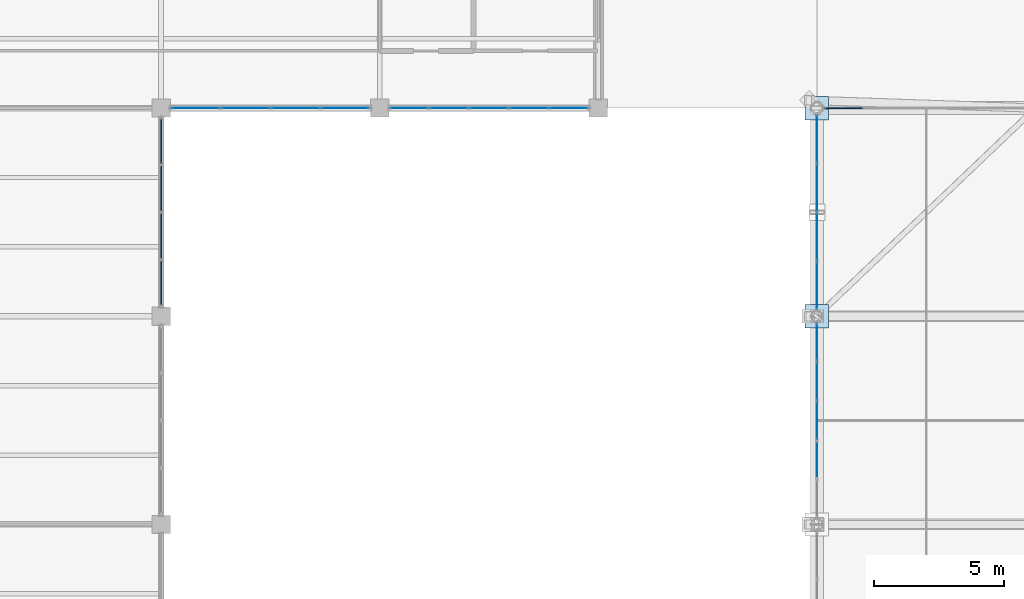
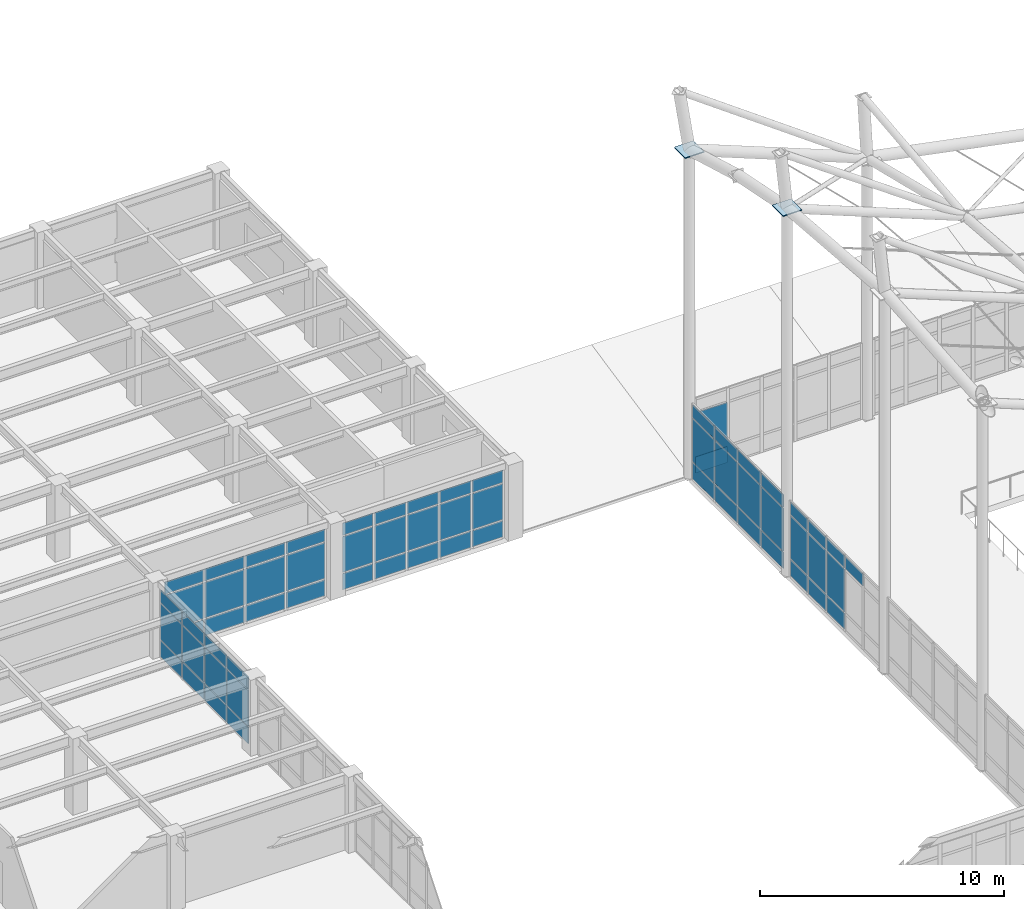
# One storey, part 61 of 138: 65 plates, 6 elements without a shape of their own.
"""IFC4 building model written with IfcOpenShell, lengths in metres."""

from ifc_helpers import new_model, si_unit, direction, frame, origin, origin_2d, place, context, subcontext, project, spatial, rectangle, extrude, material, layer, layer_set, type_object, element, aggregate, save


model = new_model("IFC4")

# Units and contexts
model_context = context("Model", 3, precision=1e-05, world=origin(), true_north=direction((0.0, 1.0)))
body_context = subcontext(model_context, "Body", "Model", "MODEL_VIEW")
ifc_project = project(units=[si_unit("LENGTHUNIT", "METRE"), si_unit("AREAUNIT", "SQUARE_METRE"), si_unit("VOLUMEUNIT", "CUBIC_METRE"), si_unit("PLANEANGLEUNIT", "RADIAN"), si_unit("MASSUNIT", "GRAM", prefix="KILO")], contexts=[model_context])

# Site, building, storey
site_placement = place(None, origin())
site = spatial("IfcSite", under=ifc_project, at=site_placement, CompositionType="ELEMENT")
building_placement = place(site_placement, origin())
building = spatial("IfcBuilding", under=site, at=building_placement, Name="Kranzveld Transit Interchange", CompositionType="ELEMENT")
storey_placement = place(building_placement, frame((0.0, 0.0, 5.43994140625)))
storey = spatial("IfcBuildingStorey", under=building, at=storey_placement, Name="L01", CompositionType="ELEMENT", Elevation=5.43994140625)

# Curtain wall, plates
ifc_material_1 = material(Name="Bronze-anodised thermally broken aluminium", Category="aluminium")
ifc_layer_1 = layer(ifc_material_1, 0.159912109375)
ifc_layer_set_1 = layer_set([ifc_layer_1], Name="Bronze-anodised thermally broken aluminium")
curtain_wall_type_1 = type_object("IfcCurtainWallType", Name="Bus Boarding Glazed Screen CW-3", PredefinedType="USERDEFINED", material=ifc_layer_set_1)
curtain_wall_1_placement = place(storey_placement, origin())
curtain_wall_1 = element("IfcCurtainWall", 1, at=curtain_wall_1_placement, inside=storey, type_object=curtain_wall_type_1, Name="L01 Curtain Wall 08/L-08/M", ObjectType="CURTAIN WALL", PredefinedType="USERDEFINED")
ifc_material_2 = material(Name="Solar-control double glazing", Category="glass")
ifc_layer_2 = layer(ifc_material_2, 0.031982421875)
ifc_layer_set_2 = layer_set([ifc_layer_2], Name="Solar-control double glazing")
plate_type_1 = type_object("IfcPlateType", Name="Curtain Panel Acoustic Glazing 32", PredefinedType="CURTAIN_PANEL", material=ifc_layer_set_2)
plate_1_placement = place(storey_placement, frame((58.800048828125, 81.186279296875, 0.06005859375), z_axis=(0.0, 0.0, 1.0), x_axis=(0.0, 1.0, 0.0)))
plate_1 = element("IfcPlate", 2, at=plate_1_placement, type_object=plate_type_1, Name="CW-3 panel 1.1", PredefinedType="CURTAIN_PANEL", context=body_context, shape_type="SweptSolid", body=[
    extrude(rectangle(XDim=1.795654296875, YDim=0.031982421875, at=origin_2d()), origin(), (0.0, 0.0, 1.0), 0.81005859375),
])
plate_2_placement = place(storey_placement, frame((58.800048828125, 81.186279296875, 0.93017578125), z_axis=(0.0, 0.0, 1.0), x_axis=(0.0, 1.0, 0.0)))
plate_2 = element("IfcPlate", 3, at=plate_2_placement, type_object=plate_type_1, Name="CW-3 panel 1.2", PredefinedType="CURTAIN_PANEL", context=body_context, shape_type="SweptSolid", body=[
    extrude(rectangle(XDim=1.795654296875, YDim=0.031982421875, at=origin_2d()), origin(), (0.0, 0.0, 1.0), 2.139892578125),
])
plate_3_placement = place(storey_placement, frame((58.800048828125, 81.186279296875, 3.1298828125), z_axis=(0.0, 0.0, 1.0), x_axis=(0.0, 1.0, 0.0)))
plate_3 = element("IfcPlate", 4, at=plate_3_placement, type_object=plate_type_1, Name="CW-3 panel 1.3", PredefinedType="CURTAIN_PANEL", context=body_context, shape_type="SweptSolid", body=[
    extrude(rectangle(XDim=1.795654296875, YDim=0.031982421875, at=origin_2d()), origin(), (0.0, 0.0, 1.0), 0.610107421875),
])
plate_4_placement = place(storey_placement, frame((58.800048828125, 83.05712890625, 0.06005859375), z_axis=(0.0, 0.0, 1.0), x_axis=(0.0, 1.0, 0.0)))
plate_4 = element("IfcPlate", 5, at=plate_4_placement, type_object=plate_type_1, Name="CW-3 panel 2.1", PredefinedType="CURTAIN_PANEL", context=body_context, shape_type="SweptSolid", body=[
    extrude(rectangle(XDim=1.82568359375, YDim=0.031982421875, at=origin_2d()), origin(), (0.0, 0.0, 1.0), 0.81005859375),
])
plate_5_placement = place(storey_placement, frame((58.800048828125, 83.05712890625, 0.93017578125), z_axis=(0.0, 0.0, 1.0), x_axis=(0.0, 1.0, 0.0)))
plate_5 = element("IfcPlate", 6, at=plate_5_placement, type_object=plate_type_1, Name="CW-3 panel 2.2", PredefinedType="CURTAIN_PANEL", context=body_context, shape_type="SweptSolid", body=[
    extrude(rectangle(XDim=1.82568359375, YDim=0.031982421875, at=origin_2d()), origin(), (0.0, 0.0, 1.0), 2.139892578125),
])
plate_6_placement = place(storey_placement, frame((58.800048828125, 83.05712890625, 3.1298828125), z_axis=(0.0, 0.0, 1.0), x_axis=(0.0, 1.0, 0.0)))
plate_6 = element("IfcPlate", 7, at=plate_6_placement, type_object=plate_type_1, Name="CW-3 panel 2.3", PredefinedType="CURTAIN_PANEL", context=body_context, shape_type="SweptSolid", body=[
    extrude(rectangle(XDim=1.82568359375, YDim=0.031982421875, at=origin_2d()), origin(), (0.0, 0.0, 1.0), 0.610107421875),
])
plate_7_placement = place(storey_placement, frame((58.800048828125, 84.94287109375, 0.06005859375), z_axis=(0.0, 0.0, 1.0), x_axis=(0.0, 1.0, 0.0)))
plate_7 = element("IfcPlate", 8, at=plate_7_placement, type_object=plate_type_1, Name="CW-3 panel 3.1", PredefinedType="CURTAIN_PANEL", context=body_context, shape_type="SweptSolid", body=[
    extrude(rectangle(XDim=1.82568359375, YDim=0.031982421875, at=origin_2d()), origin(), (0.0, 0.0, 1.0), 0.81005859375),
])
plate_8_placement = place(storey_placement, frame((58.800048828125, 84.94287109375, 0.93017578125), z_axis=(0.0, 0.0, 1.0), x_axis=(0.0, 1.0, 0.0)))
plate_8 = element("IfcPlate", 9, at=plate_8_placement, type_object=plate_type_1, Name="CW-3 panel 3.2", PredefinedType="CURTAIN_PANEL", context=body_context, shape_type="SweptSolid", body=[
    extrude(rectangle(XDim=1.82568359375, YDim=0.031982421875, at=origin_2d()), origin(), (0.0, 0.0, 1.0), 2.139892578125),
])
plate_9_placement = place(storey_placement, frame((58.800048828125, 84.94287109375, 3.1298828125), z_axis=(0.0, 0.0, 1.0), x_axis=(0.0, 1.0, 0.0)))
plate_9 = element("IfcPlate", 10, at=plate_9_placement, type_object=plate_type_1, Name="CW-3 panel 3.3", PredefinedType="CURTAIN_PANEL", context=body_context, shape_type="SweptSolid", body=[
    extrude(rectangle(XDim=1.82568359375, YDim=0.031982421875, at=origin_2d()), origin(), (0.0, 0.0, 1.0), 0.610107421875),
])
plate_10_placement = place(storey_placement, frame((58.800048828125, 86.813720703125, 0.06005859375), z_axis=(0.0, 0.0, 1.0), x_axis=(0.0, 1.0, 0.0)))
plate_10 = element("IfcPlate", 11, at=plate_10_placement, type_object=plate_type_1, Name="CW-3 panel 4.1", PredefinedType="CURTAIN_PANEL", context=body_context, shape_type="SweptSolid", body=[
    extrude(rectangle(XDim=1.795654296875, YDim=0.031982421875, at=origin_2d()), origin(), (0.0, 0.0, 1.0), 0.81005859375),
])
plate_11_placement = place(storey_placement, frame((58.800048828125, 86.813720703125, 0.93017578125), z_axis=(0.0, 0.0, 1.0), x_axis=(0.0, 1.0, 0.0)))
plate_11 = element("IfcPlate", 12, at=plate_11_placement, type_object=plate_type_1, Name="CW-3 panel 4.2", PredefinedType="CURTAIN_PANEL", context=body_context, shape_type="SweptSolid", body=[
    extrude(rectangle(XDim=1.795654296875, YDim=0.031982421875, at=origin_2d()), origin(), (0.0, 0.0, 1.0), 2.139892578125),
])
plate_12_placement = place(storey_placement, frame((58.800048828125, 86.813720703125, 3.1298828125), z_axis=(0.0, 0.0, 1.0), x_axis=(0.0, 1.0, 0.0)))
plate_12 = element("IfcPlate", 13, at=plate_12_placement, type_object=plate_type_1, Name="CW-3 panel 4.3", PredefinedType="CURTAIN_PANEL", context=body_context, shape_type="SweptSolid", body=[
    extrude(rectangle(XDim=1.795654296875, YDim=0.031982421875, at=origin_2d()), origin(), (0.0, 0.0, 1.0), 0.610107421875),
])
aggregate(curtain_wall_1, [plate_1, plate_2, plate_3, plate_4, plate_5, plate_6, plate_7, plate_8, plate_9, plate_10, plate_11, plate_12])

ifc_material_3 = material(Name="Bronze-anodised thermally broken aluminium", Category="aluminium")
ifc_layer_3 = layer(ifc_material_3, 0.1650390625)
ifc_layer_set_3 = layer_set([ifc_layer_3], Name="Bronze-anodised thermally broken aluminium")
curtain_wall_type_2 = type_object("IfcCurtainWallType", Name="Sunny Court Arcade Curtain Wall CW-2", PredefinedType="USERDEFINED", material=ifc_layer_set_3)
curtain_wall_2_placement = place(storey_placement, origin())
curtain_wall_2 = element("IfcCurtainWall", 14, at=curtain_wall_2_placement, inside=storey, type_object=curtain_wall_type_2, Name="L01 Curtain Wall 06/M-07/M", ObjectType="CURTAIN WALL", PredefinedType="USERDEFINED")
ifc_material_4 = material(Name="Solar-control double glazing", Category="glass")
ifc_layer_4 = layer(ifc_material_4, 0.02392578125)
ifc_layer_set_4 = layer_set([ifc_layer_4], Name="Solar-control double glazing")
plate_type_2 = type_object("IfcPlateType", Name="Curtain Panel Clear Glazing 24", PredefinedType="CURTAIN_PANEL", material=ifc_layer_set_4)
plate_13_placement = place(storey_placement, frame((43.13623046875, 88.0, 0.06005859375), z_axis=(0.0, 0.0, 1.0), x_axis=(1.0, 0.0, 0.0)))
plate_13 = element("IfcPlate", 15, at=plate_13_placement, type_object=plate_type_2, Name="CW-2 panel 1.1", PredefinedType="CURTAIN_PANEL", context=body_context, shape_type="SweptSolid", body=[
    extrude(rectangle(XDim=1.4423828125, YDim=0.02392578125, at=origin_2d()), origin(), (0.0, 0.0, 1.0), 0.81005859375),
])
plate_14_placement = place(storey_placement, frame((43.13623046875, 88.0, 0.929931640625), z_axis=(0.0, 0.0, 1.0), x_axis=(1.0, 0.0, 0.0)))
plate_14 = element("IfcPlate", 16, at=plate_14_placement, type_object=plate_type_2, Name="CW-2 panel 1.2", PredefinedType="CURTAIN_PANEL", context=body_context, shape_type="SweptSolid", body=[
    extrude(rectangle(XDim=1.4423828125, YDim=0.02392578125, at=origin_2d()), origin(), (0.0, 0.0, 1.0), 1.7900390625),
])
plate_15_placement = place(storey_placement, frame((43.13623046875, 88.0, 2.77978515625), z_axis=(0.0, 0.0, 1.0), x_axis=(1.0, 0.0, 0.0)))
plate_15 = element("IfcPlate", 17, at=plate_15_placement, type_object=plate_type_2, Name="CW-2 panel 1.3", PredefinedType="CURTAIN_PANEL", context=body_context, shape_type="SweptSolid", body=[
    extrude(rectangle(XDim=1.4423828125, YDim=0.02392578125, at=origin_2d()), origin(), (0.0, 0.0, 1.0), 0.610107421875),
])
plate_16_placement = place(storey_placement, frame((44.659912109375, 88.0, 0.06005859375), z_axis=(0.0, 0.0, 1.0), x_axis=(1.0, 0.0, 0.0)))
plate_16 = element("IfcPlate", 18, at=plate_16_placement, type_object=plate_type_2, Name="CW-2 panel 2.1", PredefinedType="CURTAIN_PANEL", context=body_context, shape_type="SweptSolid", body=[
    extrude(rectangle(XDim=1.47509765625, YDim=0.02392578125, at=origin_2d()), origin(), (0.0, 0.0, 1.0), 0.81005859375),
])
plate_17_placement = place(storey_placement, frame((44.659912109375, 88.0, 0.929931640625), z_axis=(0.0, 0.0, 1.0), x_axis=(1.0, 0.0, 0.0)))
plate_17 = element("IfcPlate", 19, at=plate_17_placement, type_object=plate_type_2, Name="CW-2 panel 2.2", PredefinedType="CURTAIN_PANEL", context=body_context, shape_type="SweptSolid", body=[
    extrude(rectangle(XDim=1.47509765625, YDim=0.02392578125, at=origin_2d()), origin(), (0.0, 0.0, 1.0), 1.7900390625),
])
plate_18_placement = place(storey_placement, frame((44.659912109375, 88.0, 2.77978515625), z_axis=(0.0, 0.0, 1.0), x_axis=(1.0, 0.0, 0.0)))
plate_18 = element("IfcPlate", 20, at=plate_18_placement, type_object=plate_type_2, Name="CW-2 panel 2.3", PredefinedType="CURTAIN_PANEL", context=body_context, shape_type="SweptSolid", body=[
    extrude(rectangle(XDim=1.47509765625, YDim=0.02392578125, at=origin_2d()), origin(), (0.0, 0.0, 1.0), 0.610107421875),
])
plate_19_placement = place(storey_placement, frame((46.199951171875, 88.0, 0.06005859375), z_axis=(0.0, 0.0, 1.0), x_axis=(1.0, 0.0, 0.0)))
plate_19 = element("IfcPlate", 21, at=plate_19_placement, type_object=plate_type_2, Name="CW-2 panel 3.1", PredefinedType="CURTAIN_PANEL", context=body_context, shape_type="SweptSolid", body=[
    extrude(rectangle(XDim=1.47509765625, YDim=0.02392578125, at=origin_2d()), origin(), (0.0, 0.0, 1.0), 0.81005859375),
])
plate_20_placement = place(storey_placement, frame((46.199951171875, 88.0, 0.929931640625), z_axis=(0.0, 0.0, 1.0), x_axis=(1.0, 0.0, 0.0)))
plate_20 = element("IfcPlate", 22, at=plate_20_placement, type_object=plate_type_2, Name="CW-2 panel 3.2", PredefinedType="CURTAIN_PANEL", context=body_context, shape_type="SweptSolid", body=[
    extrude(rectangle(XDim=1.47509765625, YDim=0.02392578125, at=origin_2d()), origin(), (0.0, 0.0, 1.0), 1.7900390625),
])
plate_21_placement = place(storey_placement, frame((46.199951171875, 88.0, 2.77978515625), z_axis=(0.0, 0.0, 1.0), x_axis=(1.0, 0.0, 0.0)))
plate_21 = element("IfcPlate", 23, at=plate_21_placement, type_object=plate_type_2, Name="CW-2 panel 3.3", PredefinedType="CURTAIN_PANEL", context=body_context, shape_type="SweptSolid", body=[
    extrude(rectangle(XDim=1.47509765625, YDim=0.02392578125, at=origin_2d()), origin(), (0.0, 0.0, 1.0), 0.610107421875),
])
plate_22_placement = place(storey_placement, frame((47.739990234375, 88.0, 0.06005859375), z_axis=(0.0, 0.0, 1.0), x_axis=(1.0, 0.0, 0.0)))
plate_22 = element("IfcPlate", 24, at=plate_22_placement, type_object=plate_type_2, Name="CW-2 panel 4.1", PredefinedType="CURTAIN_PANEL", context=body_context, shape_type="SweptSolid", body=[
    extrude(rectangle(XDim=1.47509765625, YDim=0.02392578125, at=origin_2d()), origin(), (0.0, 0.0, 1.0), 0.81005859375),
])
plate_23_placement = place(storey_placement, frame((47.739990234375, 88.0, 0.929931640625), z_axis=(0.0, 0.0, 1.0), x_axis=(1.0, 0.0, 0.0)))
plate_23 = element("IfcPlate", 25, at=plate_23_placement, type_object=plate_type_2, Name="CW-2 panel 4.2", PredefinedType="CURTAIN_PANEL", context=body_context, shape_type="SweptSolid", body=[
    extrude(rectangle(XDim=1.47509765625, YDim=0.02392578125, at=origin_2d()), origin(), (0.0, 0.0, 1.0), 1.7900390625),
])
plate_24_placement = place(storey_placement, frame((47.739990234375, 88.0, 2.77978515625), z_axis=(0.0, 0.0, 1.0), x_axis=(1.0, 0.0, 0.0)))
plate_24 = element("IfcPlate", 26, at=plate_24_placement, type_object=plate_type_2, Name="CW-2 panel 4.3", PredefinedType="CURTAIN_PANEL", context=body_context, shape_type="SweptSolid", body=[
    extrude(rectangle(XDim=1.47509765625, YDim=0.02392578125, at=origin_2d()), origin(), (0.0, 0.0, 1.0), 0.610107421875),
])
plate_25_placement = place(storey_placement, frame((49.263671875, 88.0, 0.06005859375), z_axis=(0.0, 0.0, 1.0), x_axis=(1.0, 0.0, 0.0)))
plate_25 = element("IfcPlate", 27, at=plate_25_placement, type_object=plate_type_2, Name="CW-2 panel 5.1", PredefinedType="CURTAIN_PANEL", context=body_context, shape_type="SweptSolid", body=[
    extrude(rectangle(XDim=1.4423828125, YDim=0.02392578125, at=origin_2d()), origin(), (0.0, 0.0, 1.0), 0.81005859375),
])
plate_26_placement = place(storey_placement, frame((49.263671875, 88.0, 0.929931640625), z_axis=(0.0, 0.0, 1.0), x_axis=(1.0, 0.0, 0.0)))
plate_26 = element("IfcPlate", 28, at=plate_26_placement, type_object=plate_type_2, Name="CW-2 panel 5.2", PredefinedType="CURTAIN_PANEL", context=body_context, shape_type="SweptSolid", body=[
    extrude(rectangle(XDim=1.4423828125, YDim=0.02392578125, at=origin_2d()), origin(), (0.0, 0.0, 1.0), 1.7900390625),
])
plate_27_placement = place(storey_placement, frame((49.263671875, 88.0, 2.77978515625), z_axis=(0.0, 0.0, 1.0), x_axis=(1.0, 0.0, 0.0)))
plate_27 = element("IfcPlate", 29, at=plate_27_placement, type_object=plate_type_2, Name="CW-2 panel 5.3", PredefinedType="CURTAIN_PANEL", context=body_context, shape_type="SweptSolid", body=[
    extrude(rectangle(XDim=1.4423828125, YDim=0.02392578125, at=origin_2d()), origin(), (0.0, 0.0, 1.0), 0.610107421875),
])
aggregate(curtain_wall_2, [plate_13, plate_14, plate_15, plate_16, plate_17, plate_18, plate_19, plate_20, plate_21, plate_22, plate_23, plate_24, plate_25, plate_26, plate_27])

curtain_wall_3_placement = place(storey_placement, origin())
curtain_wall_3 = element("IfcCurtainWall", 30, at=curtain_wall_3_placement, inside=storey, type_object=curtain_wall_type_2, Name="L01 Curtain Wall 08/K-08/L", ObjectType="CURTAIN WALL", PredefinedType="USERDEFINED")
plate_28_placement = place(storey_placement, frame((58.800048828125, 74.491455078125, 3.1298828125), z_axis=(0.0, 0.0, 1.0), x_axis=(0.0, 1.0, 0.0)))
plate_28 = element("IfcPlate", 31, at=plate_28_placement, type_object=plate_type_2, Name="CW-2 panel 2.3", PredefinedType="CURTAIN_PANEL", context=body_context, shape_type="SweptSolid", body=[
    extrude(rectangle(XDim=1.443603515625, YDim=0.02392578125, at=origin_2d()), origin(), (0.0, 0.0, 1.0), 0.610107421875),
])
plate_29_placement = place(storey_placement, frame((58.800048828125, 76.0, 0.06005859375), z_axis=(0.0, 0.0, 1.0), x_axis=(0.0, 1.0, 0.0)))
plate_29 = element("IfcPlate", 32, at=plate_29_placement, type_object=plate_type_2, Name="CW-2 panel 3.1", PredefinedType="CURTAIN_PANEL", context=body_context, shape_type="SweptSolid", body=[
    extrude(rectangle(XDim=1.443603515625, YDim=0.02392578125, at=origin_2d()), origin(), (0.0, 0.0, 1.0), 0.81005859375),
])
plate_30_placement = place(storey_placement, frame((58.800048828125, 76.0, 0.93017578125), z_axis=(0.0, 0.0, 1.0), x_axis=(0.0, 1.0, 0.0)))
plate_30 = element("IfcPlate", 33, at=plate_30_placement, type_object=plate_type_2, Name="CW-2 panel 3.2", PredefinedType="CURTAIN_PANEL", context=body_context, shape_type="SweptSolid", body=[
    extrude(rectangle(XDim=1.443603515625, YDim=0.02392578125, at=origin_2d()), origin(), (0.0, 0.0, 1.0), 2.139892578125),
])
plate_31_placement = place(storey_placement, frame((58.800048828125, 76.0, 3.1298828125), z_axis=(0.0, 0.0, 1.0), x_axis=(0.0, 1.0, 0.0)))
plate_31 = element("IfcPlate", 34, at=plate_31_placement, type_object=plate_type_2, Name="CW-2 panel 3.3", PredefinedType="CURTAIN_PANEL", context=body_context, shape_type="SweptSolid", body=[
    extrude(rectangle(XDim=1.443603515625, YDim=0.02392578125, at=origin_2d()), origin(), (0.0, 0.0, 1.0), 0.610107421875),
])
plate_32_placement = place(storey_placement, frame((58.800048828125, 77.508544921875, 0.06005859375), z_axis=(0.0, 0.0, 1.0), x_axis=(0.0, 1.0, 0.0)))
plate_32 = element("IfcPlate", 35, at=plate_32_placement, type_object=plate_type_2, Name="CW-2 panel 4.1", PredefinedType="CURTAIN_PANEL", context=body_context, shape_type="SweptSolid", body=[
    extrude(rectangle(XDim=1.443603515625, YDim=0.02392578125, at=origin_2d()), origin(), (0.0, 0.0, 1.0), 0.81005859375),
])
plate_33_placement = place(storey_placement, frame((58.800048828125, 77.508544921875, 0.93017578125), z_axis=(0.0, 0.0, 1.0), x_axis=(0.0, 1.0, 0.0)))
plate_33 = element("IfcPlate", 36, at=plate_33_placement, type_object=plate_type_2, Name="CW-2 panel 4.2", PredefinedType="CURTAIN_PANEL", context=body_context, shape_type="SweptSolid", body=[
    extrude(rectangle(XDim=1.443603515625, YDim=0.02392578125, at=origin_2d()), origin(), (0.0, 0.0, 1.0), 2.139892578125),
])
plate_34_placement = place(storey_placement, frame((58.800048828125, 77.508544921875, 3.1298828125), z_axis=(0.0, 0.0, 1.0), x_axis=(0.0, 1.0, 0.0)))
plate_34 = element("IfcPlate", 37, at=plate_34_placement, type_object=plate_type_2, Name="CW-2 panel 4.3", PredefinedType="CURTAIN_PANEL", context=body_context, shape_type="SweptSolid", body=[
    extrude(rectangle(XDim=1.443603515625, YDim=0.02392578125, at=origin_2d()), origin(), (0.0, 0.0, 1.0), 0.610107421875),
])
plate_35_placement = place(storey_placement, frame((58.800048828125, 79.0009765625, 0.06005859375), z_axis=(0.0, 0.0, 1.0), x_axis=(0.0, 1.0, 0.0)))
plate_35 = element("IfcPlate", 38, at=plate_35_placement, type_object=plate_type_2, Name="CW-2 panel 5.1", PredefinedType="CURTAIN_PANEL", context=body_context, shape_type="SweptSolid", body=[
    extrude(rectangle(XDim=1.4111328125, YDim=0.02392578125, at=origin_2d()), origin(), (0.0, 0.0, 1.0), 0.81005859375),
])
plate_36_placement = place(storey_placement, frame((58.800048828125, 79.0009765625, 0.93017578125), z_axis=(0.0, 0.0, 1.0), x_axis=(0.0, 1.0, 0.0)))
plate_36 = element("IfcPlate", 39, at=plate_36_placement, type_object=plate_type_2, Name="CW-2 panel 5.2", PredefinedType="CURTAIN_PANEL", context=body_context, shape_type="SweptSolid", body=[
    extrude(rectangle(XDim=1.4111328125, YDim=0.02392578125, at=origin_2d()), origin(), (0.0, 0.0, 1.0), 2.139892578125),
])
plate_37_placement = place(storey_placement, frame((58.800048828125, 79.0009765625, 3.1298828125), z_axis=(0.0, 0.0, 1.0), x_axis=(0.0, 1.0, 0.0)))
plate_37 = element("IfcPlate", 40, at=plate_37_placement, type_object=plate_type_2, Name="CW-2 panel 5.3", PredefinedType="CURTAIN_PANEL", context=body_context, shape_type="SweptSolid", body=[
    extrude(rectangle(XDim=1.4111328125, YDim=0.02392578125, at=origin_2d()), origin(), (0.0, 0.0, 1.0), 0.610107421875),
])
aggregate(curtain_wall_3, [plate_28, plate_29, plate_30, plate_31, plate_32, plate_33, plate_34, plate_35, plate_36, plate_37])

ifc_material_5 = material(Name="Bronze-anodised thermally broken aluminium", Category="aluminium")
ifc_layer_5 = layer(ifc_material_5, 0.179931640625)
ifc_layer_set_5 = layer_set([ifc_layer_5], Name="Bronze-anodised thermally broken aluminium")
curtain_wall_type_3 = type_object("IfcCurtainWallType", Name="Concourse Unitised Curtain Wall CW-1", PredefinedType="USERDEFINED", material=ifc_layer_set_5)
curtain_wall_4_placement = place(storey_placement, origin())
curtain_wall_4 = element("IfcCurtainWall", 41, at=curtain_wall_4_placement, inside=storey, type_object=curtain_wall_type_3, Name="L01 Curtain Wall 05/M-06/M", ObjectType="CURTAIN WALL", PredefinedType="USERDEFINED")
ifc_material_6 = material(Name="Solar-control double glazing", Category="glass")
ifc_layer_6 = layer(ifc_material_6, 0.028076171875)
ifc_layer_set_6 = layer_set([ifc_layer_6], Name="Solar-control double glazing")
plate_type_3 = type_object("IfcPlateType", Name="Curtain Panel Double Glazing 28", PredefinedType="CURTAIN_PANEL", material=ifc_layer_set_6)
plate_38_placement = place(storey_placement, frame((34.9287109375, 88.0, 0.06494140625), z_axis=(0.0, 0.0, 1.0), x_axis=(1.0, 0.0, 0.0)))
plate_38 = element("IfcPlate", 42, at=plate_38_placement, type_object=plate_type_3, Name="CW-1 panel 1.1", PredefinedType="CURTAIN_PANEL", context=body_context, shape_type="SweptSolid", body=[
    extrude(rectangle(XDim=1.827392578125, YDim=0.028076171875, at=origin_2d()), origin(), (0.0, 0.0, 1.0), 0.802490234375),
])
plate_39_placement = place(storey_placement, frame((34.9287109375, 88.0, 0.9326171875), z_axis=(0.0, 0.0, 1.0), x_axis=(1.0, 0.0, 0.0)))
plate_39 = element("IfcPlate", 43, at=plate_39_placement, type_object=plate_type_3, Name="CW-1 panel 1.2", PredefinedType="CURTAIN_PANEL", context=body_context, shape_type="SweptSolid", body=[
    extrude(rectangle(XDim=1.827392578125, YDim=0.028076171875, at=origin_2d()), origin(), (0.0, 0.0, 1.0), 1.784912109375),
])
plate_40_placement = place(storey_placement, frame((34.9287109375, 88.0, 2.782470703125), z_axis=(0.0, 0.0, 1.0), x_axis=(1.0, 0.0, 0.0)))
plate_40 = element("IfcPlate", 44, at=plate_40_placement, type_object=plate_type_3, Name="CW-1 panel 1.3", PredefinedType="CURTAIN_PANEL", context=body_context, shape_type="SweptSolid", body=[
    extrude(rectangle(XDim=1.827392578125, YDim=0.028076171875, at=origin_2d()), origin(), (0.0, 0.0, 1.0), 0.6025390625),
])
plate_41_placement = place(storey_placement, frame((36.83740234375, 88.0, 0.06494140625), z_axis=(0.0, 0.0, 1.0), x_axis=(1.0, 0.0, 0.0)))
plate_41 = element("IfcPlate", 45, at=plate_41_placement, type_object=plate_type_3, Name="CW-1 panel 2.1", PredefinedType="CURTAIN_PANEL", context=body_context, shape_type="SweptSolid", body=[
    extrude(rectangle(XDim=1.860107421875, YDim=0.028076171875, at=origin_2d()), origin(), (0.0, 0.0, 1.0), 0.802490234375),
])
plate_42_placement = place(storey_placement, frame((36.83740234375, 88.0, 0.9326171875), z_axis=(0.0, 0.0, 1.0), x_axis=(1.0, 0.0, 0.0)))
plate_42 = element("IfcPlate", 46, at=plate_42_placement, type_object=plate_type_3, Name="CW-1 panel 2.2", PredefinedType="CURTAIN_PANEL", context=body_context, shape_type="SweptSolid", body=[
    extrude(rectangle(XDim=1.860107421875, YDim=0.028076171875, at=origin_2d()), origin(), (0.0, 0.0, 1.0), 1.784912109375),
])
plate_43_placement = place(storey_placement, frame((36.83740234375, 88.0, 2.782470703125), z_axis=(0.0, 0.0, 1.0), x_axis=(1.0, 0.0, 0.0)))
plate_43 = element("IfcPlate", 47, at=plate_43_placement, type_object=plate_type_3, Name="CW-1 panel 2.3", PredefinedType="CURTAIN_PANEL", context=body_context, shape_type="SweptSolid", body=[
    extrude(rectangle(XDim=1.860107421875, YDim=0.028076171875, at=origin_2d()), origin(), (0.0, 0.0, 1.0), 0.6025390625),
])
plate_44_placement = place(storey_placement, frame((38.762451171875, 88.0, 0.06494140625), z_axis=(0.0, 0.0, 1.0), x_axis=(1.0, 0.0, 0.0)))
plate_44 = element("IfcPlate", 48, at=plate_44_placement, type_object=plate_type_3, Name="CW-1 panel 3.1", PredefinedType="CURTAIN_PANEL", context=body_context, shape_type="SweptSolid", body=[
    extrude(rectangle(XDim=1.860107421875, YDim=0.028076171875, at=origin_2d()), origin(), (0.0, 0.0, 1.0), 0.802490234375),
])
plate_45_placement = place(storey_placement, frame((38.762451171875, 88.0, 0.9326171875), z_axis=(0.0, 0.0, 1.0), x_axis=(1.0, 0.0, 0.0)))
plate_45 = element("IfcPlate", 49, at=plate_45_placement, type_object=plate_type_3, Name="CW-1 panel 3.2", PredefinedType="CURTAIN_PANEL", context=body_context, shape_type="SweptSolid", body=[
    extrude(rectangle(XDim=1.860107421875, YDim=0.028076171875, at=origin_2d()), origin(), (0.0, 0.0, 1.0), 1.784912109375),
])
plate_46_placement = place(storey_placement, frame((38.762451171875, 88.0, 2.782470703125), z_axis=(0.0, 0.0, 1.0), x_axis=(1.0, 0.0, 0.0)))
plate_46 = element("IfcPlate", 50, at=plate_46_placement, type_object=plate_type_3, Name="CW-1 panel 3.3", PredefinedType="CURTAIN_PANEL", context=body_context, shape_type="SweptSolid", body=[
    extrude(rectangle(XDim=1.860107421875, YDim=0.028076171875, at=origin_2d()), origin(), (0.0, 0.0, 1.0), 0.6025390625),
])
plate_47_placement = place(storey_placement, frame((40.671142578125, 88.0, 0.06494140625), z_axis=(0.0, 0.0, 1.0), x_axis=(1.0, 0.0, 0.0)))
plate_47 = element("IfcPlate", 51, at=plate_47_placement, type_object=plate_type_3, Name="CW-1 panel 4.1", PredefinedType="CURTAIN_PANEL", context=body_context, shape_type="SweptSolid", body=[
    extrude(rectangle(XDim=1.827392578125, YDim=0.028076171875, at=origin_2d()), origin(), (0.0, 0.0, 1.0), 0.802490234375),
])
plate_48_placement = place(storey_placement, frame((40.671142578125, 88.0, 0.9326171875), z_axis=(0.0, 0.0, 1.0), x_axis=(1.0, 0.0, 0.0)))
plate_48 = element("IfcPlate", 52, at=plate_48_placement, type_object=plate_type_3, Name="CW-1 panel 4.2", PredefinedType="CURTAIN_PANEL", context=body_context, shape_type="SweptSolid", body=[
    extrude(rectangle(XDim=1.827392578125, YDim=0.028076171875, at=origin_2d()), origin(), (0.0, 0.0, 1.0), 1.784912109375),
])
plate_49_placement = place(storey_placement, frame((40.671142578125, 88.0, 2.782470703125), z_axis=(0.0, 0.0, 1.0), x_axis=(1.0, 0.0, 0.0)))
plate_49 = element("IfcPlate", 53, at=plate_49_placement, type_object=plate_type_3, Name="CW-1 panel 4.3", PredefinedType="CURTAIN_PANEL", context=body_context, shape_type="SweptSolid", body=[
    extrude(rectangle(XDim=1.827392578125, YDim=0.028076171875, at=origin_2d()), origin(), (0.0, 0.0, 1.0), 0.6025390625),
])
aggregate(curtain_wall_4, [plate_38, plate_39, plate_40, plate_41, plate_42, plate_43, plate_44, plate_45, plate_46, plate_47, plate_48, plate_49])

ifc_material_7 = material(Name="Bronze-anodised thermally broken aluminium", Category="aluminium")
ifc_layer_7 = layer(ifc_material_7, 0.14990234375)
ifc_layer_set_7 = layer_set([ifc_layer_7], Name="Bronze-anodised thermally broken aluminium")
curtain_wall_type_4 = type_object("IfcCurtainWallType", Name="Public Passage Clerestory Screen CW-4", PredefinedType="USERDEFINED", material=ifc_layer_set_7)
curtain_wall_5_placement = place(storey_placement, origin())
curtain_wall_5 = element("IfcCurtainWall", 54, at=curtain_wall_5_placement, inside=storey, type_object=curtain_wall_type_4, Name="L01 Curtain Wall 08/M-09/M", ObjectType="CURTAIN WALL", PredefinedType="USERDEFINED")
ifc_material_8 = material(Name="Solar-control double glazing", Category="glass")
ifc_layer_8 = layer(ifc_material_8, 0.0419921875)
ifc_layer_set_8 = layer_set([ifc_layer_8], Name="Solar-control double glazing")
plate_type_4 = type_object("IfcPlateType", Name="Curtain Panel Laminated Glazing 42", PredefinedType="CURTAIN_PANEL", material=ifc_layer_set_8)
plate_50_placement = place(storey_placement, frame((59.837890625, 88.0, 0.06005859375), z_axis=(0.0, 0.0, 1.0), x_axis=(1.0, 0.0, 0.0)))
plate_50 = element("IfcPlate", 55, at=plate_50_placement, type_object=plate_type_4, Name="CW-4 panel 1.1", PredefinedType="CURTAIN_PANEL", context=body_context, shape_type="SweptSolid", body=[
    extrude(rectangle(XDim=1.49853515625, YDim=0.0419921875, at=origin_2d()), origin(), (0.0, 0.0, 1.0), 0.81005859375),
])
plate_51_placement = place(storey_placement, frame((59.837890625, 88.0, 0.93017578125), z_axis=(0.0, 0.0, 1.0), x_axis=(1.0, 0.0, 0.0)))
plate_51 = element("IfcPlate", 56, at=plate_51_placement, type_object=plate_type_4, Name="CW-4 panel 1.2", PredefinedType="CURTAIN_PANEL", context=body_context, shape_type="SweptSolid", body=[
    extrude(rectangle(XDim=1.49853515625, YDim=0.0419921875, at=origin_2d()), origin(), (0.0, 0.0, 1.0), 2.139892578125),
])
aggregate(curtain_wall_5, [plate_50, plate_51])

ifc_material_9 = material(Name="Bronze-anodised thermally broken aluminium", Category="aluminium")
ifc_layer_9 = layer(ifc_material_9, 0.155029296875)
ifc_layer_set_9 = layer_set([ifc_layer_9], Name="Bronze-anodised thermally broken aluminium")
curtain_wall_type_5 = type_object("IfcCurtainWallType", Name="Operations Courtyard Glazed Screen CW-6", PredefinedType="USERDEFINED", material=ifc_layer_set_9)
curtain_wall_6_placement = place(storey_placement, origin())
curtain_wall_6 = element("IfcCurtainWall", 57, at=curtain_wall_6_placement, inside=storey, type_object=curtain_wall_type_5, Name="L01 Curtain Wall 05/L-05/M", ObjectType="CURTAIN WALL", PredefinedType="USERDEFINED")
ifc_material_10 = material(Name="Ochre Pretoria sandstone cladding, 45 MPa", Category="masonry")
ifc_layer_10 = layer(ifc_material_10, 0.0458984375)
ifc_layer_set_10 = layer_set([ifc_layer_10], Name="Ochre Pretoria sandstone cladding, 45 MPa")
plate_type_5 = type_object("IfcPlateType", Name="Curtain Spandrel Sandstone 46", PredefinedType="CURTAIN_PANEL", material=ifc_layer_set_10)
plate_52_placement = place(storey_placement, frame((33.60009765625, 81.27880859375, 0.06005859375), z_axis=(0.0, 0.0, 1.0), x_axis=(0.0, 1.0, 0.0)))
plate_52 = element("IfcPlate", 58, at=plate_52_placement, type_object=plate_type_5, Name="CW-6 panel 1.1", PredefinedType="CURTAIN_PANEL", context=body_context, shape_type="SweptSolid", body=[
    extrude(rectangle(XDim=1.7275390625, YDim=0.0458984375, at=origin_2d()), origin(), (0.0, 0.0, 1.0), 0.81005859375),
])
plate_53_placement = place(storey_placement, frame((33.60009765625, 81.27880859375, 0.93017578125), z_axis=(0.0, 0.0, 1.0), x_axis=(0.0, 1.0, 0.0)))
plate_53 = element("IfcPlate", 59, at=plate_53_placement, type_object=plate_type_5, Name="CW-6 panel 1.2", PredefinedType="CURTAIN_PANEL", context=body_context, shape_type="SweptSolid", body=[
    extrude(rectangle(XDim=1.7275390625, YDim=0.0458984375, at=origin_2d()), origin(), (0.0, 0.0, 1.0), 1.781982421875),
])
plate_54_placement = place(storey_placement, frame((33.60009765625, 81.27880859375, 2.77197265625), z_axis=(0.0, 0.0, 1.0), x_axis=(0.0, 1.0, 0.0)))
plate_54 = element("IfcPlate", 60, at=plate_54_placement, type_object=plate_type_5, Name="CW-6 panel 1.3", PredefinedType="CURTAIN_PANEL", context=body_context, shape_type="SweptSolid", body=[
    extrude(rectangle(XDim=1.7275390625, YDim=0.0458984375, at=origin_2d()), origin(), (0.0, 0.0, 1.0), 0.610107421875),
])
plate_55_placement = place(storey_placement, frame((33.60009765625, 83.08740234375, 0.06005859375), z_axis=(0.0, 0.0, 1.0), x_axis=(0.0, 1.0, 0.0)))
plate_55 = element("IfcPlate", 61, at=plate_55_placement, type_object=plate_type_5, Name="CW-6 panel 2.1", PredefinedType="CURTAIN_PANEL", context=body_context, shape_type="SweptSolid", body=[
    extrude(rectangle(XDim=1.760009765625, YDim=0.0458984375, at=origin_2d()), origin(), (0.0, 0.0, 1.0), 0.81005859375),
])
plate_56_placement = place(storey_placement, frame((33.60009765625, 83.08740234375, 0.93017578125), z_axis=(0.0, 0.0, 1.0), x_axis=(0.0, 1.0, 0.0)))
plate_56 = element("IfcPlate", 62, at=plate_56_placement, type_object=plate_type_5, Name="CW-6 panel 2.2", PredefinedType="CURTAIN_PANEL", context=body_context, shape_type="SweptSolid", body=[
    extrude(rectangle(XDim=1.760009765625, YDim=0.0458984375, at=origin_2d()), origin(), (0.0, 0.0, 1.0), 1.781982421875),
])
plate_57_placement = place(storey_placement, frame((33.60009765625, 83.08740234375, 2.77197265625), z_axis=(0.0, 0.0, 1.0), x_axis=(0.0, 1.0, 0.0)))
plate_57 = element("IfcPlate", 63, at=plate_57_placement, type_object=plate_type_5, Name="CW-6 panel 2.3", PredefinedType="CURTAIN_PANEL", context=body_context, shape_type="SweptSolid", body=[
    extrude(rectangle(XDim=1.760009765625, YDim=0.0458984375, at=origin_2d()), origin(), (0.0, 0.0, 1.0), 0.610107421875),
])
plate_58_placement = place(storey_placement, frame((33.60009765625, 84.91259765625, 0.06005859375), z_axis=(0.0, 0.0, 1.0), x_axis=(0.0, 1.0, 0.0)))
plate_58 = element("IfcPlate", 64, at=plate_58_placement, type_object=plate_type_5, Name="CW-6 panel 3.1", PredefinedType="CURTAIN_PANEL", context=body_context, shape_type="SweptSolid", body=[
    extrude(rectangle(XDim=1.760009765625, YDim=0.0458984375, at=origin_2d()), origin(), (0.0, 0.0, 1.0), 0.81005859375),
])
plate_59_placement = place(storey_placement, frame((33.60009765625, 84.91259765625, 0.93017578125), z_axis=(0.0, 0.0, 1.0), x_axis=(0.0, 1.0, 0.0)))
plate_59 = element("IfcPlate", 65, at=plate_59_placement, type_object=plate_type_5, Name="CW-6 panel 3.2", PredefinedType="CURTAIN_PANEL", context=body_context, shape_type="SweptSolid", body=[
    extrude(rectangle(XDim=1.760009765625, YDim=0.0458984375, at=origin_2d()), origin(), (0.0, 0.0, 1.0), 1.781982421875),
])
plate_60_placement = place(storey_placement, frame((33.60009765625, 84.91259765625, 2.77197265625), z_axis=(0.0, 0.0, 1.0), x_axis=(0.0, 1.0, 0.0)))
plate_60 = element("IfcPlate", 66, at=plate_60_placement, type_object=plate_type_5, Name="CW-6 panel 3.3", PredefinedType="CURTAIN_PANEL", context=body_context, shape_type="SweptSolid", body=[
    extrude(rectangle(XDim=1.760009765625, YDim=0.0458984375, at=origin_2d()), origin(), (0.0, 0.0, 1.0), 0.610107421875),
])
plate_61_placement = place(storey_placement, frame((33.60009765625, 86.72119140625, 0.06005859375), z_axis=(0.0, 0.0, 1.0), x_axis=(0.0, 1.0, 0.0)))
plate_61 = element("IfcPlate", 67, at=plate_61_placement, type_object=plate_type_5, Name="CW-6 panel 4.1", PredefinedType="CURTAIN_PANEL", context=body_context, shape_type="SweptSolid", body=[
    extrude(rectangle(XDim=1.7275390625, YDim=0.0458984375, at=origin_2d()), origin(), (0.0, 0.0, 1.0), 0.81005859375),
])
plate_62_placement = place(storey_placement, frame((33.60009765625, 86.72119140625, 0.93017578125), z_axis=(0.0, 0.0, 1.0), x_axis=(0.0, 1.0, 0.0)))
plate_62 = element("IfcPlate", 68, at=plate_62_placement, type_object=plate_type_5, Name="CW-6 panel 4.2", PredefinedType="CURTAIN_PANEL", context=body_context, shape_type="SweptSolid", body=[
    extrude(rectangle(XDim=1.7275390625, YDim=0.0458984375, at=origin_2d()), origin(), (0.0, 0.0, 1.0), 1.781982421875),
])
plate_63_placement = place(storey_placement, frame((33.60009765625, 86.72119140625, 2.77197265625), z_axis=(0.0, 0.0, 1.0), x_axis=(0.0, 1.0, 0.0)))
plate_63 = element("IfcPlate", 69, at=plate_63_placement, type_object=plate_type_5, Name="CW-6 panel 4.3", PredefinedType="CURTAIN_PANEL", context=body_context, shape_type="SweptSolid", body=[
    extrude(rectangle(XDim=1.7275390625, YDim=0.0458984375, at=origin_2d()), origin(), (0.0, 0.0, 1.0), 0.610107421875),
])
aggregate(curtain_wall_6, [plate_52, plate_53, plate_54, plate_55, plate_56, plate_57, plate_58, plate_59, plate_60, plate_61, plate_62, plate_63])

# Plates
ifc_material_11 = material(Name="Steel S355JR", Category="steel")
ifc_layer_11 = layer(ifc_material_11, 0.050048828125)
ifc_layer_set_11 = layer_set([ifc_layer_11], Name="Steel S355JR")
plate_type_6 = type_object("IfcPlateType", Name="Mast Base Plate 900x900x50 S355JR", PredefinedType="SHEET", material=ifc_layer_set_11)
for number, where, z_axis, x_axis, name in (
    (70, (58.800048828125, 80.0, 18.22998046875), (0.0, 0.0, 1.0), (1.0, 0.0, 0.0), "Saddle Mast Base Plate M04 (08/L)"),
    (71, (58.800048828125, 88.0, 16.2802734375), (0.0, 0.0, 1.0), (1.0, 0.0, 0.0), "Saddle Mast Base Plate M05 (08/M)"),
):
    element("IfcPlate", number, at=place(storey_placement, frame(where, z_axis=z_axis, x_axis=x_axis)), inside=storey, type_object=plate_type_6, Name=name, PredefinedType="SHEET", context=body_context, shape_type="SweptSolid", body=[
        extrude(rectangle(XDim=0.89990234375, YDim=0.89990234375, at=origin_2d()), origin(), (0.0, 0.0, 1.0), 0.050048828125),
    ])

save(model, "model.ifc")
